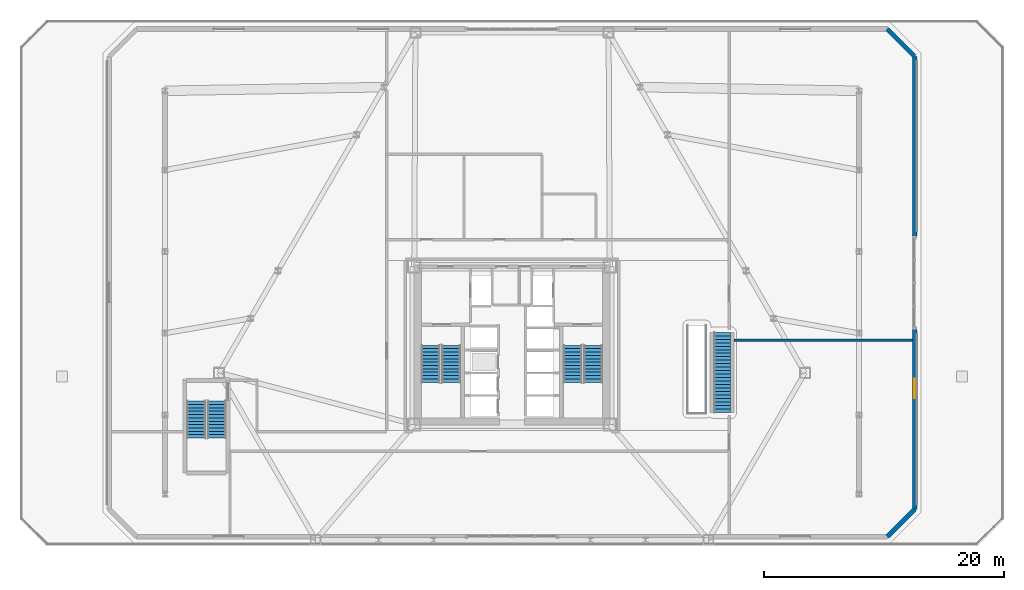
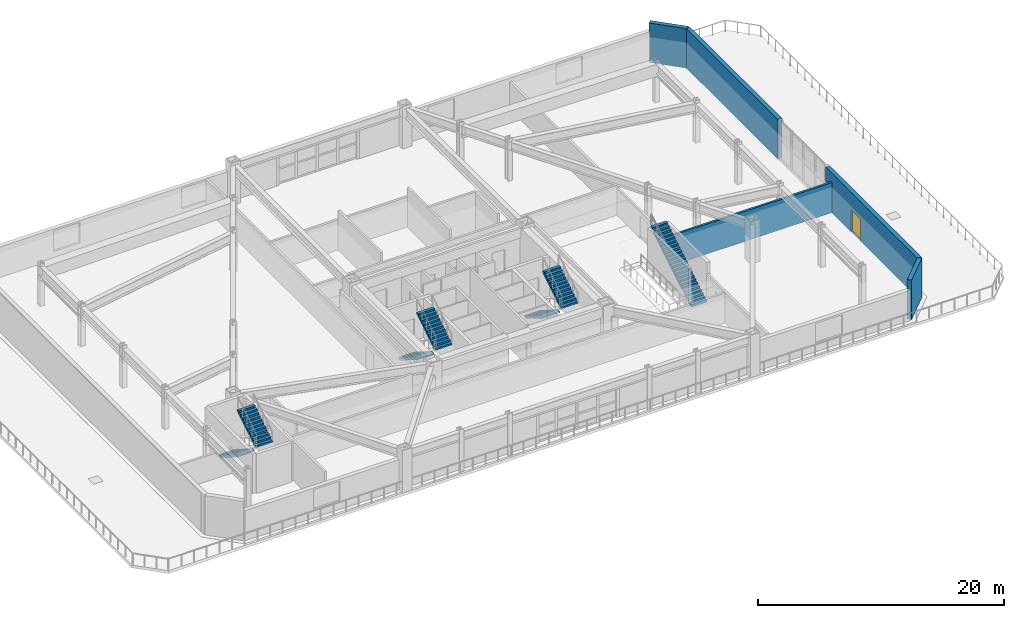
# One storey, part 10 of 16: 7 stair flights, 5 walls, 1 door, 1 opening, 4 elements without a shape of their own.
"""IFC4 building model written with IfcOpenShell, lengths in metres."""

from ifc_helpers import new_model, si_unit, direction, frame, frame_2d, origin, place, context, subcontext, project, spatial, polyline, rectangle, outline, extrude, material, layer, layer_set, type_object, element, fill, aggregate, save


model = new_model("IFC4")

# Units and contexts
model_context = context("Model", 3, precision=1e-05, world=origin(), true_north=direction((0.0, 1.0)))
body_context = subcontext(model_context, "Body", "Model", "MODEL_VIEW")
ifc_project = project(units=[si_unit("LENGTHUNIT", "METRE"), si_unit("AREAUNIT", "SQUARE_METRE"), si_unit("VOLUMEUNIT", "CUBIC_METRE"), si_unit("PLANEANGLEUNIT", "RADIAN"), si_unit("MASSUNIT", "GRAM", prefix="KILO")], contexts=[model_context])

# Site, building, storey
site_placement = place(None, origin())
site = spatial("IfcSite", under=ifc_project, at=site_placement, CompositionType="ELEMENT")
building_placement = place(site_placement, origin())
building = spatial("IfcBuilding", under=site, at=building_placement, Name="Oramaril Tower", CompositionType="ELEMENT")
storey_placement = place(building_placement, frame((0.0, 0.0, 9.89990234375)))
storey = spatial("IfcBuildingStorey", under=building, at=storey_placement, Name="L02", CompositionType="ELEMENT", Elevation=9.89990234375)

# Wall
ifc_material_1 = material(Name="Warm Cream Limestone", Category="masonry")
ifc_layer_1 = layer(ifc_material_1, 0.3798828125)
ifc_layer_set_1 = layer_set([ifc_layer_1], Name="WT-EXT38")
wall_type_1 = type_object("IfcWallType", Name="WT-EXT38", PredefinedType="SOLIDWALL", material=ifc_layer_set_1)
wall_1_placement = place(storey_placement, frame((68.772216796875, 1.64990234375, 0.0), z_axis=(0.0, 0.0, 1.0), x_axis=(0.707106781187, 0.707106781187, 0.0)))
element("IfcWall", 1, at=wall_1_placement, inside=storey, type_object=wall_type_1, Name="L02 Limestone Facade Wall EW-2M", PredefinedType="SOLIDWALL", context=body_context, shape_type="SweptSolid", body=[
    extrude(rectangle(XDim=3.221435546875, YDim=0.3798828125, at=frame_2d((1.61083984375, 0.0))), origin(), (0.0, 0.0, 1.0), 3.920166015625),
])

# Wall, opening, door
wall_2_placement = place(storey_placement, frame((71.050048828125, 3.927734375, 0.0), z_axis=(0.0, 0.0, 1.0), x_axis=(0.0, 1.0, 0.0)))
wall_2 = element("IfcWall", 2, at=wall_2_placement, inside=storey, type_object=wall_type_1, Name="L02 Limestone Facade Wall EW-3A", PredefinedType="SOLIDWALL", context=body_context, shape_type="SweptSolid", body=[
    extrude(rectangle(XDim=14.97216796875, YDim=0.3798828125, at=frame_2d((7.486083984375, 0.0))), origin(), (0.0, 0.0, 1.0), 3.920166015625),
])
opening_placement = place(wall_2_placement, frame((9.272216796875, 0.0, 0.0)))
opening = element("IfcOpeningElement", 3, at=opening_placement, cuts=wall_2, Name="Opening D-L02-T2", PredefinedType="OPENING", context=body_context, shape_type="SweptSolid", body=[
    extrude(rectangle(XDim=1.60009765625, YDim=2.199951171875, at=frame_2d((0.800048828125, 1.10009765625))), frame((0.0, 0.18994140625, 0.0), z_axis=(0.0, -1.0, 0.0), x_axis=(1.0, 0.0, 0.0)), (0.0, 0.0, 1.0), 0.3798828125),
])
ifc_material_2 = material(Name="Anodised Aluminium 6063-T6", Category="aluminium")
door_type = type_object("IfcDoorType", Name="DT-TER", OperationType="NOTDEFINED", PredefinedType="DOOR", material=ifc_material_2)
door_placement = place(opening_placement, origin())
door = element("IfcDoor", 4, at=door_placement, inside=storey, type_object=door_type, Name="L02 Podium Terrace Access Door 2", OperationType="SINGLE_SWING_RIGHT", OverallHeight=2.199951171875, OverallWidth=1.60009765625, PredefinedType="DOOR", context=body_context, shape_type="SweptSolid", body=[
    extrude(rectangle(XDim=1.60009765625, YDim=2.199951171875, at=frame_2d((0.800048828125, 1.10009765625))), frame((0.0, 0.02490234375, 0.0), z_axis=(0.0, -1.0, 0.0), x_axis=(1.0, 0.0, 0.0)), (0.0, 0.0, 1.0), 0.050048828125),
])
fill(opening, door)

# Walls
wall_3_placement = place(storey_placement, frame((71.050048828125, 26.699951171875, 0.0), z_axis=(0.0, 0.0, 1.0), x_axis=(0.0, 1.0, 0.0)))
element("IfcWall", 5, at=wall_3_placement, inside=storey, type_object=wall_type_1, Name="L02 Limestone Facade Wall EW-3B", PredefinedType="SOLIDWALL", context=body_context, shape_type="SweptSolid", body=[
    extrude(rectangle(XDim=14.97216796875, YDim=0.3798828125, at=frame_2d((7.486083984375, 0.0))), origin(), (0.0, 0.0, 1.0), 3.920166015625),
])
wall_4_placement = place(storey_placement, frame((71.050048828125, 41.672119140625, 0.0), z_axis=(0.0, 0.0, 1.0), x_axis=(-0.707106781187, 0.707106781187, 0.0)))
element("IfcWall", 6, at=wall_4_placement, inside=storey, type_object=wall_type_1, Name="L02 Limestone Facade Wall EW-4M", PredefinedType="SOLIDWALL", context=body_context, shape_type="SweptSolid", body=[
    extrude(rectangle(XDim=3.221435546875, YDim=0.3798828125, at=frame_2d((1.61083984375, 0.0))), origin(), (0.0, 0.0, 1.0), 3.920166015625),
])
ifc_material_3 = material(Name="Autoclaved Cellular Concrete Block", Category="concrete")
ifc_layer_2 = layer(ifc_material_3, 0.199951171875)
ifc_layer_set_2 = layer_set([ifc_layer_2], Name="WT-PT20")
wall_type_2 = type_object("IfcWallType", Name="WT-PT20", PredefinedType="PARTITIONING", material=ifc_layer_set_2)
wall_5_placement = place(storey_placement, frame((56.01904296875, 18.0, 0.0), z_axis=(0.0, 0.0, 1.0), x_axis=(1.0, 0.0, 0.0)))
element("IfcWall", 7, at=wall_5_placement, inside=storey, type_object=wall_type_2, Name="L02 Interior Partition PT-20", PredefinedType="PARTITIONING", context=body_context, shape_type="SweptSolid", body=[
    extrude(rectangle(XDim=14.8369140625, YDim=0.199951171875, at=frame_2d((7.41845703125, 0.0))), origin(), (0.0, 0.0, 1.0), 2.983154296875),
])

# Stair, stair flights
ifc_material_4 = material(Name="Concrete C50/60", Category="concrete")
stair_type_1 = type_object("IfcStairType", Name="STT-DG-4200", PredefinedType="HALF_TURN_STAIR", material=ifc_material_4)
stair_1_placement = place(storey_placement, origin())
stair_1 = element("IfcStair", 8, at=stair_1_placement, inside=storey, type_object=stair_type_1, Name="L02 Protected PFP Exit Stair ST-1", PredefinedType="HALF_TURN_STAIR")
ifc_material_5 = material(Name="Concrete C50/60", Category="concrete")
stair_flight_type_1 = type_object("IfcStairFlightType", Name="SFT-DG-4200", PredefinedType="STRAIGHT", material=ifc_material_5)
stair_flight_1_placement = place(storey_placement, frame((30.72998046875, 17.590087890625, 0.0), z_axis=(0.0, 0.0, 1.0), x_axis=(0.0, -1.0, 0.0)))
stair_flight_1 = element("IfcStairFlight", 9, at=stair_flight_1_placement, type_object=stair_flight_type_1, Name="ST-1 flight 1", NumberOfRisers=12, NumberOfTreads=11, PredefinedType="STRAIGHT", RiserHeight=0.175, TreadLength=0.28, context=body_context, shape_type="SweptSolid", body=[
    extrude(outline(polyline([(0.0, 0.0), (0.0, 0.175048828125), (0.280029296875, 0.175048828125), (0.280029296875, 0.35009765625), (0.56005859375, 0.35009765625), (0.56005859375, 0.52490234375), (0.840087890625, 0.52490234375), (0.840087890625, 0.699951171875), (1.1201171875, 0.699951171875), (1.1201171875, 0.875), (1.39990234375, 0.875), (1.39990234375, 1.050048828125), (1.679931640625, 1.050048828125), (1.679931640625, 1.22509765625), (1.9599609375, 1.22509765625), (1.9599609375, 1.39990234375), (2.239990234375, 1.39990234375), (2.239990234375, 1.574951171875), (2.52001953125, 1.574951171875), (2.52001953125, 1.75), (2.800048828125, 1.75), (2.800048828125, 1.925048828125), (3.080078125, 1.925048828125), (3.080078125, 2.10009765625), (3.080078125, 1.748291015625), (0.28271484375, 0.0), (0.0, 0.0)])), frame((0.0, 0.780029296875, 0.0), z_axis=(0.0, -1.0, 0.0), x_axis=(1.0, 0.0, 0.0)), (0.0, 0.0, 1.0), 1.56005859375),
])
stair_flight_2_placement = place(storey_placement, frame((32.43994140625, 14.510009765625, 2.10009765625), z_axis=(0.0, 0.0, 1.0), x_axis=(0.0, 1.0, 0.0)))
stair_flight_2 = element("IfcStairFlight", 10, at=stair_flight_2_placement, type_object=stair_flight_type_1, Name="ST-1 flight 2", NumberOfRisers=12, NumberOfTreads=11, PredefinedType="STRAIGHT", RiserHeight=0.175, TreadLength=0.28, context=body_context, shape_type="SweptSolid", body=[
    extrude(outline(polyline([(0.0, 0.0), (0.0, 0.175048828125), (0.280029296875, 0.175048828125), (0.280029296875, 0.35009765625), (0.56005859375, 0.35009765625), (0.56005859375, 0.52490234375), (0.840087890625, 0.52490234375), (0.840087890625, 0.699951171875), (1.1201171875, 0.699951171875), (1.1201171875, 0.875), (1.39990234375, 0.875), (1.39990234375, 1.050048828125), (1.679931640625, 1.050048828125), (1.679931640625, 1.22509765625), (1.9599609375, 1.22509765625), (1.9599609375, 1.39990234375), (2.239990234375, 1.39990234375), (2.239990234375, 1.574951171875), (2.52001953125, 1.574951171875), (2.52001953125, 1.75), (2.800048828125, 1.75), (2.800048828125, 1.925048828125), (3.080078125, 1.925048828125), (3.080078125, 2.10009765625), (3.080078125, 1.748291015625), (0.28271484375, 0.0), (0.0, 0.0)])), frame((0.0, 0.780029296875, 0.0), z_axis=(0.0, -1.0, 0.0), x_axis=(1.0, 0.0, 0.0)), (0.0, 0.0, 1.0), 1.56005859375),
])
aggregate(stair_1, [stair_flight_1, stair_flight_2])

stair_2_placement = place(storey_placement, origin())
stair_2 = element("IfcStair", 11, at=stair_2_placement, inside=storey, type_object=stair_type_1, Name="L02 Protected PFP Exit Stair ST-2", PredefinedType="HALF_TURN_STAIR")
stair_flight_3_placement = place(storey_placement, frame((42.56005859375, 17.590087890625, 0.0), z_axis=(0.0, 0.0, 1.0), x_axis=(0.0, -1.0, 0.0)))
stair_flight_3 = element("IfcStairFlight", 12, at=stair_flight_3_placement, type_object=stair_flight_type_1, Name="ST-2 flight 1", NumberOfRisers=12, NumberOfTreads=11, PredefinedType="STRAIGHT", RiserHeight=0.175, TreadLength=0.28, context=body_context, shape_type="SweptSolid", body=[
    extrude(outline(polyline([(0.0, 0.0), (0.0, 0.175048828125), (0.280029296875, 0.175048828125), (0.280029296875, 0.35009765625), (0.56005859375, 0.35009765625), (0.56005859375, 0.52490234375), (0.840087890625, 0.52490234375), (0.840087890625, 0.699951171875), (1.1201171875, 0.699951171875), (1.1201171875, 0.875), (1.39990234375, 0.875), (1.39990234375, 1.050048828125), (1.679931640625, 1.050048828125), (1.679931640625, 1.22509765625), (1.9599609375, 1.22509765625), (1.9599609375, 1.39990234375), (2.239990234375, 1.39990234375), (2.239990234375, 1.574951171875), (2.52001953125, 1.574951171875), (2.52001953125, 1.75), (2.800048828125, 1.75), (2.800048828125, 1.925048828125), (3.080078125, 1.925048828125), (3.080078125, 2.10009765625), (3.080078125, 1.748291015625), (0.28271484375, 0.0), (0.0, 0.0)])), frame((0.0, 0.780029296875, 0.0), z_axis=(0.0, -1.0, 0.0), x_axis=(1.0, 0.0, 0.0)), (0.0, 0.0, 1.0), 1.56005859375),
])
stair_flight_4_placement = place(storey_placement, frame((44.27001953125, 14.510009765625, 2.10009765625), z_axis=(0.0, 0.0, 1.0), x_axis=(0.0, 1.0, 0.0)))
stair_flight_4 = element("IfcStairFlight", 13, at=stair_flight_4_placement, type_object=stair_flight_type_1, Name="ST-2 flight 2", NumberOfRisers=12, NumberOfTreads=11, PredefinedType="STRAIGHT", RiserHeight=0.175, TreadLength=0.28, context=body_context, shape_type="SweptSolid", body=[
    extrude(outline(polyline([(0.0, 0.0), (0.0, 0.175048828125), (0.280029296875, 0.175048828125), (0.280029296875, 0.35009765625), (0.56005859375, 0.35009765625), (0.56005859375, 0.52490234375), (0.840087890625, 0.52490234375), (0.840087890625, 0.699951171875), (1.1201171875, 0.699951171875), (1.1201171875, 0.875), (1.39990234375, 0.875), (1.39990234375, 1.050048828125), (1.679931640625, 1.050048828125), (1.679931640625, 1.22509765625), (1.9599609375, 1.22509765625), (1.9599609375, 1.39990234375), (2.239990234375, 1.39990234375), (2.239990234375, 1.574951171875), (2.52001953125, 1.574951171875), (2.52001953125, 1.75), (2.800048828125, 1.75), (2.800048828125, 1.925048828125), (3.080078125, 1.925048828125), (3.080078125, 2.10009765625), (3.080078125, 1.748291015625), (0.28271484375, 0.0), (0.0, 0.0)])), frame((0.0, 0.780029296875, 0.0), z_axis=(0.0, -1.0, 0.0), x_axis=(1.0, 0.0, 0.0)), (0.0, 0.0, 1.0), 1.56005859375),
])
aggregate(stair_2, [stair_flight_3, stair_flight_4])

stair_3_placement = place(storey_placement, origin())
stair_3 = element("IfcStair", 14, at=stair_3_placement, inside=storey, type_object=stair_type_1, Name="L02 Podium Enclosed Exit Stair ST-3", PredefinedType="HALF_TURN_STAIR")
stair_flight_5_placement = place(storey_placement, frame((11.179931640625, 12.93994140625, 0.0), z_axis=(0.0, 0.0, 1.0), x_axis=(0.0, -1.0, 0.0)))
stair_flight_5 = element("IfcStairFlight", 15, at=stair_flight_5_placement, type_object=stair_flight_type_1, Name="ST-3 flight 1", NumberOfRisers=12, NumberOfTreads=11, PredefinedType="STRAIGHT", RiserHeight=0.175, TreadLength=0.28, context=body_context, shape_type="SweptSolid", body=[
    extrude(outline(polyline([(0.0, 0.0), (0.0, 0.175048828125), (0.280029296875, 0.175048828125), (0.280029296875, 0.35009765625), (0.56005859375, 0.35009765625), (0.56005859375, 0.52490234375), (0.840087890625, 0.52490234375), (0.840087890625, 0.699951171875), (1.1201171875, 0.699951171875), (1.1201171875, 0.875), (1.39990234375, 0.875), (1.39990234375, 1.050048828125), (1.679931640625, 1.050048828125), (1.679931640625, 1.22509765625), (1.9599609375, 1.22509765625), (1.9599609375, 1.39990234375), (2.239990234375, 1.39990234375), (2.239990234375, 1.574951171875), (2.52001953125, 1.574951171875), (2.52001953125, 1.75), (2.800048828125, 1.75), (2.800048828125, 1.925048828125), (3.080078125, 1.925048828125), (3.080078125, 2.10009765625), (3.080078125, 1.748291015625), (0.28271484375, 0.0), (0.0, 0.0)])), frame((0.0, 0.780029296875, 0.0), z_axis=(0.0, -1.0, 0.0), x_axis=(1.0, 0.0, 0.0)), (0.0, 0.0, 1.0), 1.56005859375),
])
stair_flight_6_placement = place(storey_placement, frame((12.889892578125, 9.860107421875, 2.10009765625), z_axis=(0.0, 0.0, 1.0), x_axis=(0.0, 1.0, 0.0)))
stair_flight_6 = element("IfcStairFlight", 16, at=stair_flight_6_placement, type_object=stair_flight_type_1, Name="ST-3 flight 2", NumberOfRisers=12, NumberOfTreads=11, PredefinedType="STRAIGHT", RiserHeight=0.175, TreadLength=0.28, context=body_context, shape_type="SweptSolid", body=[
    extrude(outline(polyline([(0.0, 0.0), (0.0, 0.175048828125), (0.280029296875, 0.175048828125), (0.280029296875, 0.35009765625), (0.56005859375, 0.35009765625), (0.56005859375, 0.52490234375), (0.840087890625, 0.52490234375), (0.840087890625, 0.699951171875), (1.1201171875, 0.699951171875), (1.1201171875, 0.875), (1.39990234375, 0.875), (1.39990234375, 1.050048828125), (1.679931640625, 1.050048828125), (1.679931640625, 1.22509765625), (1.9599609375, 1.22509765625), (1.9599609375, 1.39990234375), (2.239990234375, 1.39990234375), (2.239990234375, 1.574951171875), (2.52001953125, 1.574951171875), (2.52001953125, 1.75), (2.800048828125, 1.75), (2.800048828125, 1.925048828125), (3.080078125, 1.925048828125), (3.080078125, 2.10009765625), (3.080078125, 1.748291015625), (0.28271484375, 0.0), (0.0, 0.0)])), frame((0.0, 0.780029296875, 0.0), z_axis=(0.0, -1.0, 0.0), x_axis=(1.0, 0.0, 0.0)), (0.0, 0.0, 1.0), 1.56005859375),
])
aggregate(stair_3, [stair_flight_5, stair_flight_6])

# Stair, stair flight
ifc_material_6 = material(Name="Concrete C40/50", Category="concrete")
stair_type_2 = type_object("IfcStairType", Name="STT-SR-ST-5", PredefinedType="STRAIGHT_RUN_STAIR", material=ifc_material_6)
stair_4_placement = place(storey_placement, origin())
stair_4 = element("IfcStair", 17, at=stair_4_placement, inside=storey, type_object=stair_type_2, Name="L02 Architectural Feature Stair ST-5", PredefinedType="STRAIGHT_RUN_STAIR")
ifc_material_7 = material(Name="Concrete C40/50", Category="concrete")
stair_flight_type_2 = type_object("IfcStairFlightType", Name="SFT-SR-ST-5", PredefinedType="STRAIGHT", material=ifc_material_7)
stair_flight_7_placement = place(storey_placement, frame((55.0, 12.0, 0.0), z_axis=(0.0, 0.0, 1.0), x_axis=(0.0, 1.0, 0.0)))
stair_flight_7 = element("IfcStairFlight", 18, at=stair_flight_7_placement, type_object=stair_flight_type_2, Name="ST-5 flight 1", NumberOfRisers=24, NumberOfTreads=23, PredefinedType="STRAIGHT", RiserHeight=0.175, TreadLength=0.29, context=body_context, shape_type="SweptSolid", body=[
    extrude(outline(polyline([(0.0, 0.0), (0.0, 0.175048828125), (0.2900390625, 0.175048828125), (0.2900390625, 0.35009765625), (0.580078125, 0.35009765625), (0.580078125, 0.52490234375), (0.8701171875, 0.52490234375), (0.8701171875, 0.699951171875), (1.159912109375, 0.699951171875), (1.159912109375, 0.875), (1.449951171875, 0.875), (1.449951171875, 1.050048828125), (1.739990234375, 1.050048828125), (1.739990234375, 1.22509765625), (2.030029296875, 1.22509765625), (2.030029296875, 1.39990234375), (2.320068359375, 1.39990234375), (2.320068359375, 1.574951171875), (2.610107421875, 1.574951171875), (2.610107421875, 1.75), (2.89990234375, 1.75), (2.89990234375, 1.925048828125), (3.18994140625, 1.925048828125), (3.18994140625, 2.10009765625), (3.47998046875, 2.10009765625), (3.47998046875, 2.27490234375), (3.77001953125, 2.27490234375), (3.77001953125, 2.449951171875), (4.06005859375, 2.449951171875), (4.06005859375, 2.625), (4.35009765625, 2.625), (4.35009765625, 2.800048828125), (4.639892578125, 2.800048828125), (4.639892578125, 2.97509765625), (4.929931640625, 2.97509765625), (4.929931640625, 3.14990234375), (5.219970703125, 3.14990234375), (5.219970703125, 3.324951171875), (5.510009765625, 3.324951171875), (5.510009765625, 3.5), (5.800048828125, 3.5), (5.800048828125, 3.675048828125), (6.090087890625, 3.675048828125), (6.090087890625, 3.85009765625), (6.3798828125, 3.85009765625), (6.3798828125, 4.02490234375), (6.669921875, 4.02490234375), (6.669921875, 4.199951171875), (6.669921875, 3.81494140625), (0.34814453125, 0.0), (0.0, 0.0)])), frame((0.0, 0.72509765625, 0.0), z_axis=(0.0, -1.0, 0.0), x_axis=(1.0, 0.0, 0.0)), (0.0, 0.0, 1.0), 1.449951171875),
])
aggregate(stair_4, [stair_flight_7])

save(model, "model.ifc")
